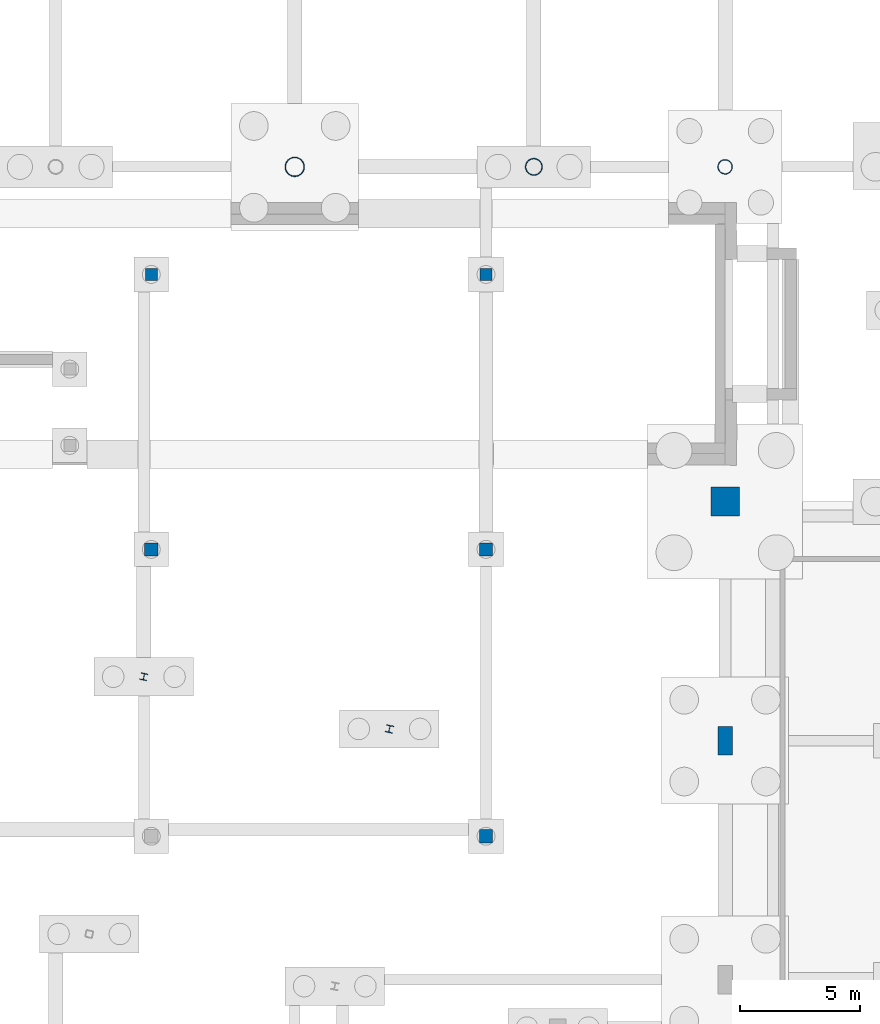
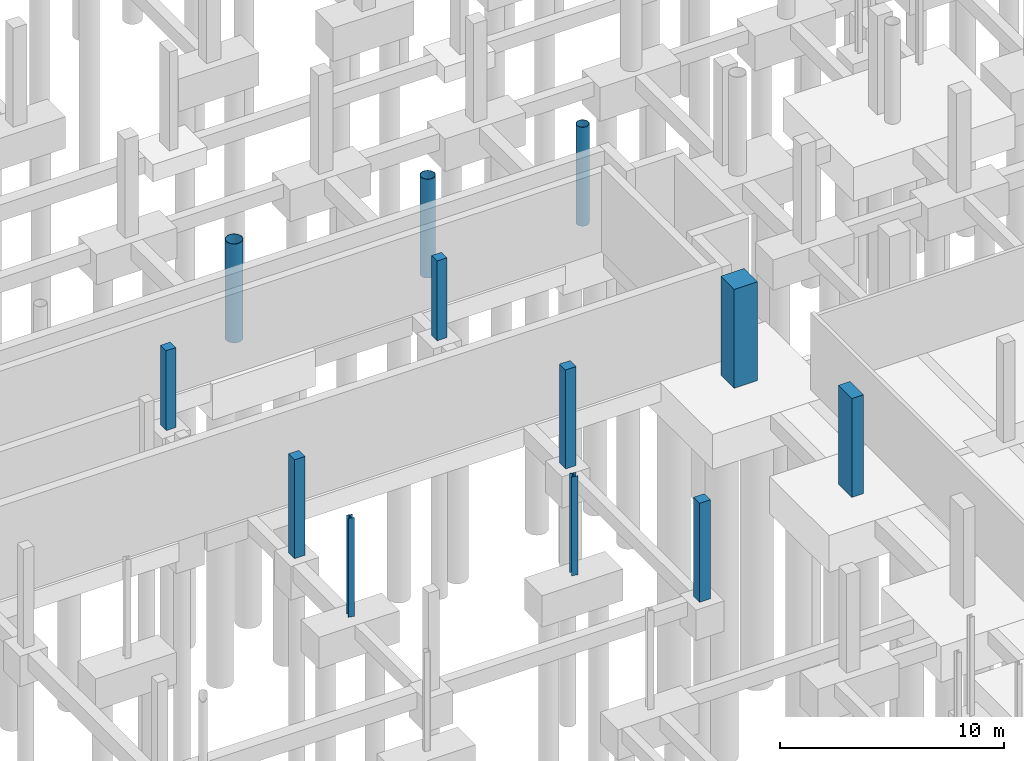
# One storey, part 28 of 65: 12 columns.
"""IFC4 building model written with IfcOpenShell, lengths in metres."""

from ifc_helpers import new_model, si_unit, direction, frame, origin, origin_2d, place, context, subcontext, project, spatial, rectangle, hollow_circle, i_section, extrude, material, material_profile, profile_set, type_object, element, save


model = new_model("IFC4")

# Units and contexts
model_context = context("Model", 3, precision=1e-05, world=origin(), true_north=direction((0.0, 1.0)))
body_context = subcontext(model_context, "Body", "Model", "MODEL_VIEW")
ifc_project = project(units=[si_unit("LENGTHUNIT", "METRE"), si_unit("AREAUNIT", "SQUARE_METRE"), si_unit("VOLUMEUNIT", "CUBIC_METRE"), si_unit("PLANEANGLEUNIT", "RADIAN"), si_unit("MASSUNIT", "GRAM", prefix="KILO")], contexts=[model_context])

# Site, building, storey
site_placement = place(None, origin())
site = spatial("IfcSite", under=ifc_project, at=site_placement, CompositionType="ELEMENT")
building_placement = place(site_placement, origin())
building = spatial("IfcBuilding", under=site, at=building_placement, Name="Khorjan Park Terminus", CompositionType="ELEMENT")
storey_placement = place(building_placement, frame((0.0, 0.0, -5.4)))
storey = spatial("IfcBuildingStorey", under=building, at=storey_placement, Name="B1", CompositionType="ELEMENT", Elevation=-5.4)

# Columns
ifc_material_1 = material(Name="Concrete C50/60", Category="concrete")
ifc_material_profile_1 = material_profile(ifc_material_1, rectangle(XDim=0.6, YDim=1.2, at=origin_2d()), Name="RC 600x1200")
ifc_profile_set_1 = profile_set([ifc_material_profile_1], Name="Concrete C50/60")
column_type_1 = type_object("IfcColumnType", Name="COL-BL1200", PredefinedType="COLUMN", material=ifc_profile_set_1)
column_1_placement = place(storey_placement, frame((48.0, 78.0, 0.0), z_axis=(0.0, 0.0, 1.0), x_axis=(1.0, 0.0, 0.0)))
element("IfcColumn", 1, at=column_1_placement, inside=storey, type_object=column_type_1, Name="Structural column C-BL12 (B1 #260)", PredefinedType="COLUMN", context=body_context, shape_type="SweptSolid", body=[
    extrude(rectangle(XDim=0.6, YDim=1.2, at=origin_2d()), origin(), (0.0, 0.0, 1.0), 5.4),
])
ifc_material_2 = material(Name="Steel S355", Category="steel")
ifc_material_profile_2 = material_profile(ifc_material_2, i_section(OverallWidth=0.28, OverallDepth=0.28, WebThickness=0.0105, FlangeThickness=0.018, FilletRadius=0.024, at=origin_2d()), Name="HEB 280")
ifc_profile_set_2 = profile_set([ifc_material_profile_2], Name="Steel S355")
column_type_2 = type_object("IfcColumnType", Name="COL-HB280E", PredefinedType="COLUMN", material=ifc_profile_set_2)
column_2_placement = place(storey_placement, frame((23.689, 80.672, 0.0), z_axis=(0.0, 0.0, 1.0), x_axis=(0.978147600734, -0.207911690818, 0.0)))
element("IfcColumn", 2, at=column_2_placement, inside=storey, type_object=column_type_2, Name="Structural column SC-H28 (B1 #636)", PredefinedType="COLUMN", context=body_context, shape_type="SweptSolid", body=[
    extrude(i_section(OverallWidth=0.28, OverallDepth=0.28, WebThickness=0.0105, FlangeThickness=0.018, FilletRadius=0.024, at=origin_2d()), origin(), (0.0, 0.0, 1.0), 5.4),
])
ifc_material_profile_3 = material_profile(ifc_material_2, i_section(OverallWidth=0.3, OverallDepth=0.3, WebThickness=0.011, FlangeThickness=0.019, FilletRadius=0.027, at=origin_2d()), Name="HEB 300")
ifc_profile_set_3 = profile_set([ifc_material_profile_3], Name="Steel S355")
column_type_3 = type_object("IfcColumnType", Name="COL-HB300E", PredefinedType="COLUMN", material=ifc_profile_set_3)
column_3_placement = place(storey_placement, frame((33.96, 78.489, 0.0), z_axis=(0.0, 0.0, 1.0), x_axis=(0.978147600734, -0.207911690818, 0.0)))
element("IfcColumn", 3, at=column_3_placement, inside=storey, type_object=column_type_3, Name="Structural column SC-H30 (B1 #650)", PredefinedType="COLUMN", context=body_context, shape_type="SweptSolid", body=[
    extrude(i_section(OverallWidth=0.3, OverallDepth=0.3, WebThickness=0.011, FlangeThickness=0.019, FilletRadius=0.027, at=origin_2d()), origin(), (0.0, 0.0, 1.0), 5.4),
])
ifc_material_profile_4 = material_profile(ifc_material_1, rectangle(XDim=1.2, YDim=1.2, at=origin_2d()), Name="RC 1200x1200")
ifc_profile_set_4 = profile_set([ifc_material_profile_4], Name="Concrete C50/60")
column_type_4 = type_object("IfcColumnType", Name="COL-RC1200", PredefinedType="COLUMN", material=ifc_profile_set_4)
column_4_placement = place(storey_placement, frame((48.0, 88.0, 0.0), z_axis=(0.0, 0.0, 1.0), x_axis=(1.0, 0.0, 0.0)))
element("IfcColumn", 4, at=column_4_placement, inside=storey, type_object=column_type_4, Name="Structural column C-RC12 (B1 #265)", PredefinedType="COLUMN", context=body_context, shape_type="SweptSolid", body=[
    extrude(rectangle(XDim=1.2, YDim=1.2, at=origin_2d()), origin(), (0.0, 0.0, 1.0), 5.4),
])
ifc_material_3 = material(Name="Concrete C40/50", Category="concrete")
ifc_material_profile_5 = material_profile(ifc_material_3, rectangle(XDim=0.5, YDim=0.5, at=origin_2d()), Name="RC 500x500")
ifc_profile_set_5 = profile_set([ifc_material_profile_5], Name="Concrete C40/50")
column_type_5 = type_object("IfcColumnType", Name="COL-RC500", PredefinedType="COLUMN", material=ifc_profile_set_5)
for number, where, z_axis, x_axis, name in (
    (5, (24.0, 97.5, 0.0), (0.0, 0.0, 1.0), (1.0, 0.0, 0.0), "Structural column C-RC05 (B1 #982)"),
    (6, (38.0, 97.5, 0.0), (0.0, 0.0, 1.0), (1.0, 0.0, 0.0), "Structural column C-RC05 (B1 #985)"),
):
    element("IfcColumn", number, at=place(storey_placement, frame(where, z_axis=z_axis, x_axis=x_axis)), inside=storey, type_object=column_type_5, Name=name, PredefinedType="COLUMN", context=body_context, shape_type="SweptSolid", body=[
        extrude(rectangle(XDim=0.5, YDim=0.5, at=origin_2d()), origin(), (0.0, 0.0, 1.0), 4.36),
    ])
ifc_material_profile_6 = material_profile(ifc_material_3, rectangle(XDim=0.55, YDim=0.55, at=origin_2d()), Name="RC 550x550")
ifc_profile_set_6 = profile_set([ifc_material_profile_6], Name="Concrete C40/50")
column_type_6 = type_object("IfcColumnType", Name="COL-RC550", PredefinedType="COLUMN", material=ifc_profile_set_6)
for number, where, z_axis, x_axis, name in (
    (7, (24.0, 86.0, 0.0), (0.0, 0.0, 1.0), (1.0, 0.0, 0.0), "Structural column C-RC55 (B1 #981)"),
    (8, (38.0, 74.0, 0.0), (0.0, 0.0, 1.0), (1.0, 0.0, 0.0), "Structural column C-RC55 (B1 #983)"),
    (9, (38.0, 86.0, 0.0), (0.0, 0.0, 1.0), (1.0, 0.0, 0.0), "Structural column C-RC55 (B1 #984)"),
):
    element("IfcColumn", number, at=place(storey_placement, frame(where, z_axis=z_axis, x_axis=x_axis)), inside=storey, type_object=column_type_6, Name=name, PredefinedType="COLUMN", context=body_context, shape_type="SweptSolid", body=[
        extrude(rectangle(XDim=0.55, YDim=0.55, at=origin_2d()), origin(), (0.0, 0.0, 1.0), 5.4),
    ])
ifc_material_profile_7 = material_profile(ifc_material_2, hollow_circle(Radius=0.305, WallThickness=0.02, at=origin_2d()), Name="CHS 610x20")
ifc_profile_set_7 = profile_set([ifc_material_profile_7], Name="Steel S355")
column_type_7 = type_object("IfcColumnType", Name="COL-SH610E", PredefinedType="COLUMN", material=ifc_profile_set_7)
column_5_placement = place(storey_placement, frame((48.0, 102.0, 0.0), z_axis=(0.0, 0.0, 1.0), x_axis=(1.0, 0.0, 0.0)))
element("IfcColumn", 10, at=column_5_placement, inside=storey, type_object=column_type_7, Name="Structural column SC-61 (B1 #61)", PredefinedType="COLUMN", context=body_context, shape_type="SweptSolid", body=[
    extrude(hollow_circle(Radius=0.305, WallThickness=0.02, at=origin_2d()), origin(), (0.0, 0.0, 1.0), 5.4),
])
ifc_material_profile_8 = material_profile(ifc_material_2, hollow_circle(Radius=0.3555, WallThickness=0.025, at=origin_2d()), Name="CHS 711x25")
ifc_profile_set_8 = profile_set([ifc_material_profile_8], Name="Steel S355")
column_type_8 = type_object("IfcColumnType", Name="COL-SH711E", PredefinedType="COLUMN", material=ifc_profile_set_8)
column_6_placement = place(storey_placement, frame((40.0, 102.0, 0.0), z_axis=(0.0, 0.0, 1.0), x_axis=(1.0, 0.0, 0.0)))
element("IfcColumn", 11, at=column_6_placement, inside=storey, type_object=column_type_8, Name="Structural column SC-71 (B1 #49)", PredefinedType="COLUMN", context=body_context, shape_type="SweptSolid", body=[
    extrude(hollow_circle(Radius=0.3555, WallThickness=0.025, at=origin_2d()), origin(), (0.0, 0.0, 1.0), 5.4),
])
ifc_material_profile_9 = material_profile(ifc_material_2, hollow_circle(Radius=0.4065, WallThickness=0.025, at=origin_2d()), Name="CHS 813x25")
ifc_profile_set_9 = profile_set([ifc_material_profile_9], Name="Steel S355")
column_type_9 = type_object("IfcColumnType", Name="COL-SH813E", PredefinedType="COLUMN", material=ifc_profile_set_9)
column_7_placement = place(storey_placement, frame((30.0, 102.0, 0.0), z_axis=(0.0, 0.0, 1.0), x_axis=(1.0, 0.0, 0.0)))
element("IfcColumn", 12, at=column_7_placement, inside=storey, type_object=column_type_9, Name="Structural column SC-81 (B1 #37)", PredefinedType="COLUMN", context=body_context, shape_type="SweptSolid", body=[
    extrude(hollow_circle(Radius=0.4065, WallThickness=0.025, at=origin_2d()), origin(), (0.0, 0.0, 1.0), 5.4),
])

save(model, "model.ifc")
